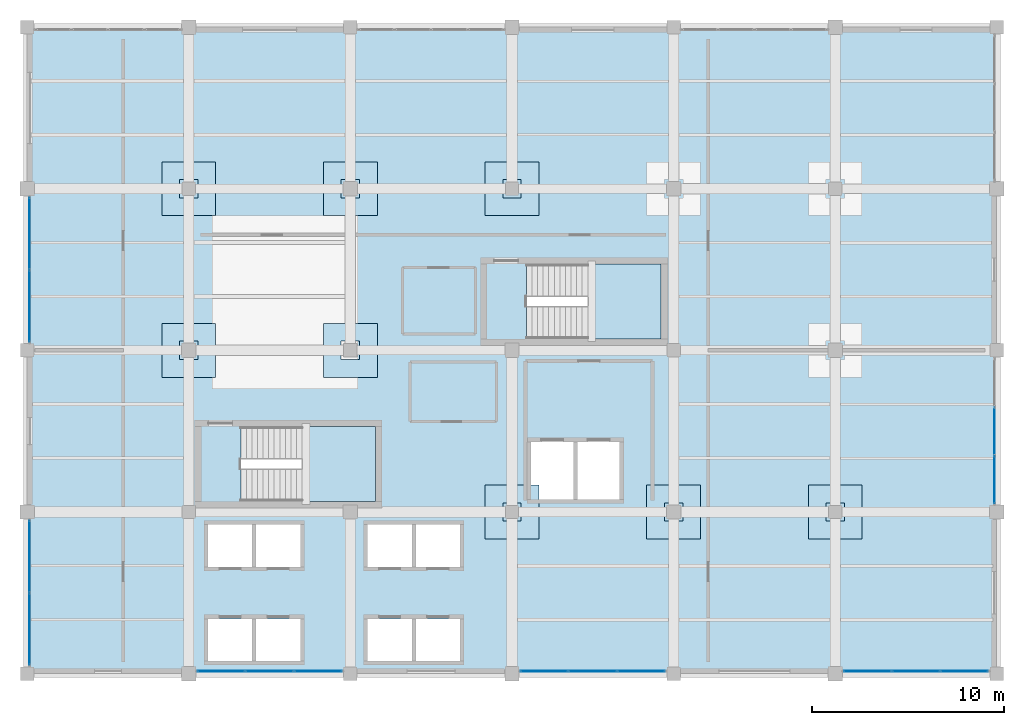
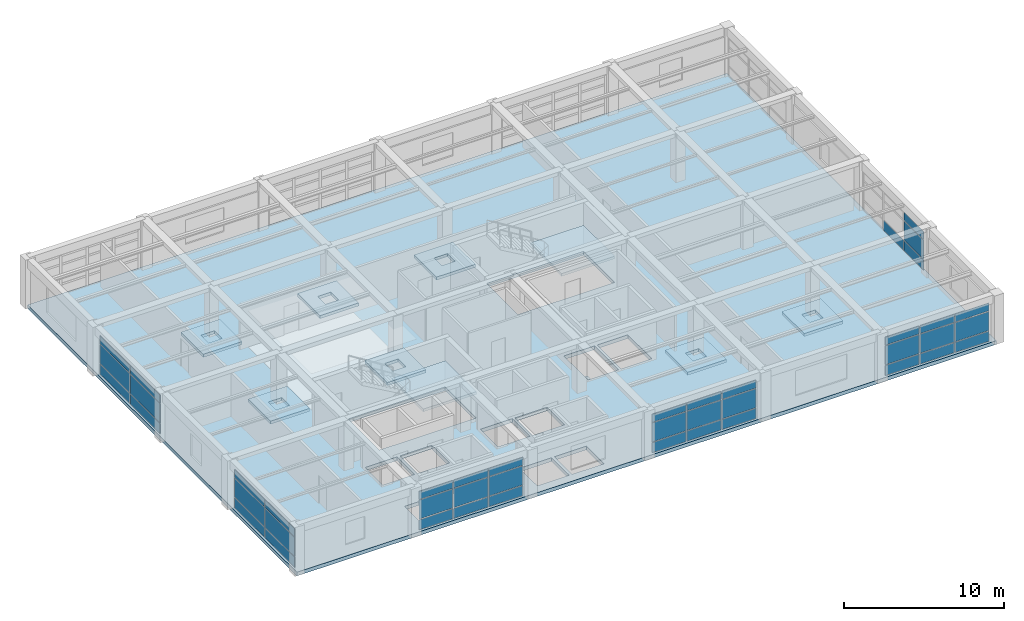
# One storey, part 26 of 31: 43 plates, 11 slabs, 8 elements without a shape of their own.
"""IFC4 building model written with IfcOpenShell, lengths in metres."""

from ifc_helpers import new_model, si_unit, direction, frame, origin, origin_2d, place, context, subcontext, project, spatial, polyline, rectangle, outline, extrude, material, layer, layer_set, type_object, element, aggregate, save


model = new_model("IFC4")

# Units and contexts
model_context = context("Model", 3, precision=1e-05, world=origin(), true_north=direction((0.0, 1.0)))
body_context = subcontext(model_context, "Body", "Model", "MODEL_VIEW")
ifc_project = project(units=[si_unit("LENGTHUNIT", "METRE"), si_unit("AREAUNIT", "SQUARE_METRE"), si_unit("VOLUMEUNIT", "CUBIC_METRE"), si_unit("PLANEANGLEUNIT", "RADIAN"), si_unit("MASSUNIT", "GRAM", prefix="KILO")], contexts=[model_context])

# Site, building, storey
site_placement = place(None, origin())
site = spatial("IfcSite", under=ifc_project, at=site_placement, CompositionType="ELEMENT")
building_placement = place(site_placement, origin())
building = spatial("IfcBuilding", under=site, at=building_placement, Name="Almacenes y Pasaje Nevantli", CompositionType="ELEMENT")
storey_placement = place(building_placement, frame((0.0, 0.0, 34.699951171875)))
storey = spatial("IfcBuildingStorey", under=building, at=storey_placement, Name="L08", CompositionType="ELEMENT", Elevation=34.699951171875)

# Curtain wall, plates
ifc_material_1 = material(Name="Thermally Broken Aluminium and Low-E Glass", Category="aluminium")
curtain_wall_type = type_object("IfcCurtainWallType", Name="CW-UNIT-TOWER", PredefinedType="USERDEFINED", material=ifc_material_1)
curtain_wall_1_placement = place(storey_placement, origin())
curtain_wall_1 = element("IfcCurtainWall", 1, at=curtain_wall_1_placement, inside=storey, type_object=curtain_wall_type, Name="L08 Tower South Unitized Curtain Wall Bay 15", ObjectType="UNITIZED CURTAIN WALL", PredefinedType="USERDEFINED")
ifc_material_2 = material(Name="Low-E Double Glazed Insulated Unit", Category="glass")
ifc_layer_1 = layer(ifc_material_2, 0.031982421875)
ifc_layer_set_1 = layer_set([ifc_layer_1], Name="Low-E Double Glazed Insulated Unit")
plate_type_1 = type_object("IfcPlateType", Name="PL-IGU-32", PredefinedType="CURTAIN_PANEL", material=ifc_layer_set_1)
plate_1_placement = place(storey_placement, frame((119.28173828125, 67.320068359375, 0.06005859375), z_axis=(0.0, 0.0, 1.0), x_axis=(1.0, 0.0, 0.0)))
plate_1 = element("IfcPlate", 2, at=plate_1_placement, type_object=plate_type_1, Name="CW-L08-122 panel 1.1", PredefinedType="CURTAIN_PANEL", context=body_context, shape_type="SweptSolid", body=[
    extrude(rectangle(XDim=2.443359375, YDim=0.031982421875, at=origin_2d()), origin(), (0.0, 0.0, 1.0), 0.760009765625),
])
plate_2_placement = place(storey_placement, frame((119.28173828125, 67.320068359375, 0.880126953125), z_axis=(0.0, 0.0, 1.0), x_axis=(1.0, 0.0, 0.0)))
plate_2 = element("IfcPlate", 3, at=plate_2_placement, type_object=plate_type_1, Name="CW-L08-122 panel 1.2", PredefinedType="CURTAIN_PANEL", context=body_context, shape_type="SweptSolid", body=[
    extrude(rectangle(XDim=2.443359375, YDim=0.031982421875, at=origin_2d()), origin(), (0.0, 0.0, 1.0), 1.43994140625),
])
plate_3_placement = place(storey_placement, frame((119.28173828125, 67.320068359375, 2.3798828125), z_axis=(0.0, 0.0, 1.0), x_axis=(1.0, 0.0, 0.0)))
plate_3 = element("IfcPlate", 4, at=plate_3_placement, type_object=plate_type_1, Name="CW-L08-122 panel 1.3", PredefinedType="CURTAIN_PANEL", context=body_context, shape_type="SweptSolid", body=[
    extrude(rectangle(XDim=2.443359375, YDim=0.031982421875, at=origin_2d()), origin(), (0.0, 0.0, 1.0), 0.60009765625),
])
plate_4_placement = place(storey_placement, frame((121.800048828125, 67.320068359375, 0.06005859375), z_axis=(0.0, 0.0, 1.0), x_axis=(1.0, 0.0, 0.0)))
plate_4 = element("IfcPlate", 5, at=plate_4_placement, type_object=plate_type_1, Name="CW-L08-122 panel 2.1", PredefinedType="CURTAIN_PANEL", context=body_context, shape_type="SweptSolid", body=[
    extrude(rectangle(XDim=2.473388671875, YDim=0.031982421875, at=origin_2d()), origin(), (0.0, 0.0, 1.0), 0.760009765625),
])
plate_5_placement = place(storey_placement, frame((121.800048828125, 67.320068359375, 0.880126953125), z_axis=(0.0, 0.0, 1.0), x_axis=(1.0, 0.0, 0.0)))
plate_5 = element("IfcPlate", 6, at=plate_5_placement, type_object=plate_type_1, Name="CW-L08-122 panel 2.2", PredefinedType="CURTAIN_PANEL", context=body_context, shape_type="SweptSolid", body=[
    extrude(rectangle(XDim=2.473388671875, YDim=0.031982421875, at=origin_2d()), origin(), (0.0, 0.0, 1.0), 1.43994140625),
])
plate_6_placement = place(storey_placement, frame((121.800048828125, 67.320068359375, 2.3798828125), z_axis=(0.0, 0.0, 1.0), x_axis=(1.0, 0.0, 0.0)))
plate_6 = element("IfcPlate", 7, at=plate_6_placement, type_object=plate_type_1, Name="CW-L08-122 panel 2.3", PredefinedType="CURTAIN_PANEL", context=body_context, shape_type="SweptSolid", body=[
    extrude(rectangle(XDim=2.473388671875, YDim=0.031982421875, at=origin_2d()), origin(), (0.0, 0.0, 1.0), 0.60009765625),
])
plate_7_placement = place(storey_placement, frame((124.318359375, 67.320068359375, 0.06005859375), z_axis=(0.0, 0.0, 1.0), x_axis=(1.0, 0.0, 0.0)))
plate_7 = element("IfcPlate", 8, at=plate_7_placement, type_object=plate_type_1, Name="CW-L08-122 panel 3.1", PredefinedType="CURTAIN_PANEL", context=body_context, shape_type="SweptSolid", body=[
    extrude(rectangle(XDim=2.443359375, YDim=0.031982421875, at=origin_2d()), origin(), (0.0, 0.0, 1.0), 0.760009765625),
])
plate_8_placement = place(storey_placement, frame((124.318359375, 67.320068359375, 0.880126953125), z_axis=(0.0, 0.0, 1.0), x_axis=(1.0, 0.0, 0.0)))
plate_8 = element("IfcPlate", 9, at=plate_8_placement, type_object=plate_type_1, Name="CW-L08-122 panel 3.2", PredefinedType="CURTAIN_PANEL", context=body_context, shape_type="SweptSolid", body=[
    extrude(rectangle(XDim=2.443359375, YDim=0.031982421875, at=origin_2d()), origin(), (0.0, 0.0, 1.0), 1.43994140625),
])
plate_9_placement = place(storey_placement, frame((124.318359375, 67.320068359375, 2.3798828125), z_axis=(0.0, 0.0, 1.0), x_axis=(1.0, 0.0, 0.0)))
plate_9 = element("IfcPlate", 10, at=plate_9_placement, type_object=plate_type_1, Name="CW-L08-122 panel 3.3", PredefinedType="CURTAIN_PANEL", context=body_context, shape_type="SweptSolid", body=[
    extrude(rectangle(XDim=2.443359375, YDim=0.031982421875, at=origin_2d()), origin(), (0.0, 0.0, 1.0), 0.60009765625),
])
aggregate(curtain_wall_1, [plate_1, plate_2, plate_3, plate_4, plate_5, plate_6, plate_7, plate_8, plate_9])

curtain_wall_2_placement = place(storey_placement, origin())
curtain_wall_2 = element("IfcCurtainWall", 11, at=curtain_wall_2_placement, inside=storey, type_object=curtain_wall_type, Name="L08 Tower South Unitized Curtain Wall Bay 17", ObjectType="UNITIZED CURTAIN WALL", PredefinedType="USERDEFINED")
plate_10_placement = place(storey_placement, frame((136.081787109375, 67.320068359375, 0.06005859375), z_axis=(0.0, 0.0, 1.0), x_axis=(1.0, 0.0, 0.0)))
plate_10 = element("IfcPlate", 12, at=plate_10_placement, type_object=plate_type_1, Name="CW-L08-124 panel 1.1", PredefinedType="CURTAIN_PANEL", context=body_context, shape_type="SweptSolid", body=[
    extrude(rectangle(XDim=2.443359375, YDim=0.031982421875, at=origin_2d()), origin(), (0.0, 0.0, 1.0), 0.760009765625),
])
plate_11_placement = place(storey_placement, frame((136.081787109375, 67.320068359375, 0.880126953125), z_axis=(0.0, 0.0, 1.0), x_axis=(1.0, 0.0, 0.0)))
plate_11 = element("IfcPlate", 13, at=plate_11_placement, type_object=plate_type_1, Name="CW-L08-124 panel 1.2", PredefinedType="CURTAIN_PANEL", context=body_context, shape_type="SweptSolid", body=[
    extrude(rectangle(XDim=2.443359375, YDim=0.031982421875, at=origin_2d()), origin(), (0.0, 0.0, 1.0), 1.43994140625),
])
plate_12_placement = place(storey_placement, frame((136.081787109375, 67.320068359375, 2.3798828125), z_axis=(0.0, 0.0, 1.0), x_axis=(1.0, 0.0, 0.0)))
plate_12 = element("IfcPlate", 14, at=plate_12_placement, type_object=plate_type_1, Name="CW-L08-124 panel 1.3", PredefinedType="CURTAIN_PANEL", context=body_context, shape_type="SweptSolid", body=[
    extrude(rectangle(XDim=2.443359375, YDim=0.031982421875, at=origin_2d()), origin(), (0.0, 0.0, 1.0), 0.60009765625),
])
plate_13_placement = place(storey_placement, frame((138.60009765625, 67.320068359375, 0.06005859375), z_axis=(0.0, 0.0, 1.0), x_axis=(1.0, 0.0, 0.0)))
plate_13 = element("IfcPlate", 15, at=plate_13_placement, type_object=plate_type_1, Name="CW-L08-124 panel 2.1", PredefinedType="CURTAIN_PANEL", context=body_context, shape_type="SweptSolid", body=[
    extrude(rectangle(XDim=2.473388671875, YDim=0.031982421875, at=origin_2d()), origin(), (0.0, 0.0, 1.0), 0.760009765625),
])
plate_14_placement = place(storey_placement, frame((138.60009765625, 67.320068359375, 0.880126953125), z_axis=(0.0, 0.0, 1.0), x_axis=(1.0, 0.0, 0.0)))
plate_14 = element("IfcPlate", 16, at=plate_14_placement, type_object=plate_type_1, Name="CW-L08-124 panel 2.2", PredefinedType="CURTAIN_PANEL", context=body_context, shape_type="SweptSolid", body=[
    extrude(rectangle(XDim=2.473388671875, YDim=0.031982421875, at=origin_2d()), origin(), (0.0, 0.0, 1.0), 1.43994140625),
])
plate_15_placement = place(storey_placement, frame((138.60009765625, 67.320068359375, 2.3798828125), z_axis=(0.0, 0.0, 1.0), x_axis=(1.0, 0.0, 0.0)))
plate_15 = element("IfcPlate", 17, at=plate_15_placement, type_object=plate_type_1, Name="CW-L08-124 panel 2.3", PredefinedType="CURTAIN_PANEL", context=body_context, shape_type="SweptSolid", body=[
    extrude(rectangle(XDim=2.473388671875, YDim=0.031982421875, at=origin_2d()), origin(), (0.0, 0.0, 1.0), 0.60009765625),
])
plate_16_placement = place(storey_placement, frame((141.118408203125, 67.320068359375, 0.06005859375), z_axis=(0.0, 0.0, 1.0), x_axis=(1.0, 0.0, 0.0)))
plate_16 = element("IfcPlate", 18, at=plate_16_placement, type_object=plate_type_1, Name="CW-L08-124 panel 3.1", PredefinedType="CURTAIN_PANEL", context=body_context, shape_type="SweptSolid", body=[
    extrude(rectangle(XDim=2.443359375, YDim=0.031982421875, at=origin_2d()), origin(), (0.0, 0.0, 1.0), 0.760009765625),
])
plate_17_placement = place(storey_placement, frame((141.118408203125, 67.320068359375, 0.880126953125), z_axis=(0.0, 0.0, 1.0), x_axis=(1.0, 0.0, 0.0)))
plate_17 = element("IfcPlate", 19, at=plate_17_placement, type_object=plate_type_1, Name="CW-L08-124 panel 3.2", PredefinedType="CURTAIN_PANEL", context=body_context, shape_type="SweptSolid", body=[
    extrude(rectangle(XDim=2.443359375, YDim=0.031982421875, at=origin_2d()), origin(), (0.0, 0.0, 1.0), 1.43994140625),
])
plate_18_placement = place(storey_placement, frame((141.118408203125, 67.320068359375, 2.3798828125), z_axis=(0.0, 0.0, 1.0), x_axis=(1.0, 0.0, 0.0)))
plate_18 = element("IfcPlate", 20, at=plate_18_placement, type_object=plate_type_1, Name="CW-L08-124 panel 3.3", PredefinedType="CURTAIN_PANEL", context=body_context, shape_type="SweptSolid", body=[
    extrude(rectangle(XDim=2.443359375, YDim=0.031982421875, at=origin_2d()), origin(), (0.0, 0.0, 1.0), 0.60009765625),
])
aggregate(curtain_wall_2, [plate_10, plate_11, plate_12, plate_13, plate_14, plate_15, plate_16, plate_17, plate_18])

curtain_wall_3_placement = place(storey_placement, origin())
curtain_wall_3 = element("IfcCurtainWall", 21, at=curtain_wall_3_placement, inside=storey, type_object=curtain_wall_type, Name="L08 Tower South Unitized Curtain Wall Bay 19", ObjectType="UNITIZED CURTAIN WALL", PredefinedType="USERDEFINED")
plate_19_placement = place(storey_placement, frame((152.881591796875, 67.320068359375, 0.06005859375), z_axis=(0.0, 0.0, 1.0), x_axis=(1.0, 0.0, 0.0)))
plate_19 = element("IfcPlate", 22, at=plate_19_placement, type_object=plate_type_1, Name="CW-L08-126 panel 1.1", PredefinedType="CURTAIN_PANEL", context=body_context, shape_type="SweptSolid", body=[
    extrude(rectangle(XDim=2.443359375, YDim=0.031982421875, at=origin_2d()), origin(), (0.0, 0.0, 1.0), 0.760009765625),
])
plate_20_placement = place(storey_placement, frame((152.881591796875, 67.320068359375, 0.880126953125), z_axis=(0.0, 0.0, 1.0), x_axis=(1.0, 0.0, 0.0)))
plate_20 = element("IfcPlate", 23, at=plate_20_placement, type_object=plate_type_1, Name="CW-L08-126 panel 1.2", PredefinedType="CURTAIN_PANEL", context=body_context, shape_type="SweptSolid", body=[
    extrude(rectangle(XDim=2.443359375, YDim=0.031982421875, at=origin_2d()), origin(), (0.0, 0.0, 1.0), 1.43994140625),
])
plate_21_placement = place(storey_placement, frame((152.881591796875, 67.320068359375, 2.3798828125), z_axis=(0.0, 0.0, 1.0), x_axis=(1.0, 0.0, 0.0)))
plate_21 = element("IfcPlate", 24, at=plate_21_placement, type_object=plate_type_1, Name="CW-L08-126 panel 1.3", PredefinedType="CURTAIN_PANEL", context=body_context, shape_type="SweptSolid", body=[
    extrude(rectangle(XDim=2.443359375, YDim=0.031982421875, at=origin_2d()), origin(), (0.0, 0.0, 1.0), 0.60009765625),
])
plate_22_placement = place(storey_placement, frame((155.39990234375, 67.320068359375, 0.06005859375), z_axis=(0.0, 0.0, 1.0), x_axis=(1.0, 0.0, 0.0)))
plate_22 = element("IfcPlate", 25, at=plate_22_placement, type_object=plate_type_1, Name="CW-L08-126 panel 2.1", PredefinedType="CURTAIN_PANEL", context=body_context, shape_type="SweptSolid", body=[
    extrude(rectangle(XDim=2.473388671875, YDim=0.031982421875, at=origin_2d()), origin(), (0.0, 0.0, 1.0), 0.760009765625),
])
plate_23_placement = place(storey_placement, frame((155.39990234375, 67.320068359375, 0.880126953125), z_axis=(0.0, 0.0, 1.0), x_axis=(1.0, 0.0, 0.0)))
plate_23 = element("IfcPlate", 26, at=plate_23_placement, type_object=plate_type_1, Name="CW-L08-126 panel 2.2", PredefinedType="CURTAIN_PANEL", context=body_context, shape_type="SweptSolid", body=[
    extrude(rectangle(XDim=2.473388671875, YDim=0.031982421875, at=origin_2d()), origin(), (0.0, 0.0, 1.0), 1.43994140625),
])
plate_24_placement = place(storey_placement, frame((155.39990234375, 67.320068359375, 2.3798828125), z_axis=(0.0, 0.0, 1.0), x_axis=(1.0, 0.0, 0.0)))
plate_24 = element("IfcPlate", 27, at=plate_24_placement, type_object=plate_type_1, Name="CW-L08-126 panel 2.3", PredefinedType="CURTAIN_PANEL", context=body_context, shape_type="SweptSolid", body=[
    extrude(rectangle(XDim=2.473388671875, YDim=0.031982421875, at=origin_2d()), origin(), (0.0, 0.0, 1.0), 0.60009765625),
])
plate_25_placement = place(storey_placement, frame((157.918212890625, 67.320068359375, 0.06005859375), z_axis=(0.0, 0.0, 1.0), x_axis=(1.0, 0.0, 0.0)))
plate_25 = element("IfcPlate", 28, at=plate_25_placement, type_object=plate_type_1, Name="CW-L08-126 panel 3.1", PredefinedType="CURTAIN_PANEL", context=body_context, shape_type="SweptSolid", body=[
    extrude(rectangle(XDim=2.443359375, YDim=0.031982421875, at=origin_2d()), origin(), (0.0, 0.0, 1.0), 0.760009765625),
])
plate_26_placement = place(storey_placement, frame((157.918212890625, 67.320068359375, 0.880126953125), z_axis=(0.0, 0.0, 1.0), x_axis=(1.0, 0.0, 0.0)))
plate_26 = element("IfcPlate", 29, at=plate_26_placement, type_object=plate_type_1, Name="CW-L08-126 panel 3.2", PredefinedType="CURTAIN_PANEL", context=body_context, shape_type="SweptSolid", body=[
    extrude(rectangle(XDim=2.443359375, YDim=0.031982421875, at=origin_2d()), origin(), (0.0, 0.0, 1.0), 1.43994140625),
])
plate_27_placement = place(storey_placement, frame((157.918212890625, 67.320068359375, 2.3798828125), z_axis=(0.0, 0.0, 1.0), x_axis=(1.0, 0.0, 0.0)))
plate_27 = element("IfcPlate", 30, at=plate_27_placement, type_object=plate_type_1, Name="CW-L08-126 panel 3.3", PredefinedType="CURTAIN_PANEL", context=body_context, shape_type="SweptSolid", body=[
    extrude(rectangle(XDim=2.443359375, YDim=0.031982421875, at=origin_2d()), origin(), (0.0, 0.0, 1.0), 0.60009765625),
])
aggregate(curtain_wall_3, [plate_19, plate_20, plate_21, plate_22, plate_23, plate_24, plate_25, plate_26, plate_27])

curtain_wall_4_placement = place(storey_placement, origin())
curtain_wall_4 = element("IfcCurtainWall", 31, at=curtain_wall_4_placement, inside=storey, type_object=curtain_wall_type, Name="L08 Tower West Curtain Wall Bay 9", ObjectType="UNITIZED CURTAIN WALL", PredefinedType="USERDEFINED")
plate_28_placement = place(storey_placement, frame((109.320068359375, 69.514892578125, 0.06005859375), z_axis=(0.0, 0.0, 1.0), x_axis=(0.0, 1.0, 0.0)))
plate_28 = element("IfcPlate", 32, at=plate_28_placement, type_object=plate_type_1, Name="CW-L08-127 panel 1.1", PredefinedType="CURTAIN_PANEL", context=body_context, shape_type="SweptSolid", body=[
    extrude(rectangle(XDim=3.7099609375, YDim=0.031982421875, at=origin_2d()), origin(), (0.0, 0.0, 1.0), 0.760009765625),
])
plate_29_placement = place(storey_placement, frame((109.320068359375, 69.514892578125, 0.880126953125), z_axis=(0.0, 0.0, 1.0), x_axis=(0.0, 1.0, 0.0)))
plate_29 = element("IfcPlate", 33, at=plate_29_placement, type_object=plate_type_1, Name="CW-L08-127 panel 1.2", PredefinedType="CURTAIN_PANEL", context=body_context, shape_type="SweptSolid", body=[
    extrude(rectangle(XDim=3.7099609375, YDim=0.031982421875, at=origin_2d()), origin(), (0.0, 0.0, 1.0), 1.43994140625),
])
plate_30_placement = place(storey_placement, frame((109.320068359375, 69.514892578125, 2.3798828125), z_axis=(0.0, 0.0, 1.0), x_axis=(0.0, 1.0, 0.0)))
plate_30 = element("IfcPlate", 34, at=plate_30_placement, type_object=plate_type_1, Name="CW-L08-127 panel 1.3", PredefinedType="CURTAIN_PANEL", context=body_context, shape_type="SweptSolid", body=[
    extrude(rectangle(XDim=3.7099609375, YDim=0.031982421875, at=origin_2d()), origin(), (0.0, 0.0, 1.0), 0.60009765625),
])
plate_31_placement = place(storey_placement, frame((109.320068359375, 73.284912109375, 0.06005859375), z_axis=(0.0, 0.0, 1.0), x_axis=(0.0, 1.0, 0.0)))
plate_31 = element("IfcPlate", 35, at=plate_31_placement, type_object=plate_type_1, Name="CW-L08-127 panel 2.1", PredefinedType="CURTAIN_PANEL", context=body_context, shape_type="SweptSolid", body=[
    extrude(rectangle(XDim=3.7099609375, YDim=0.031982421875, at=origin_2d()), origin(), (0.0, 0.0, 1.0), 0.760009765625),
])
plate_32_placement = place(storey_placement, frame((109.320068359375, 73.284912109375, 0.880126953125), z_axis=(0.0, 0.0, 1.0), x_axis=(0.0, 1.0, 0.0)))
plate_32 = element("IfcPlate", 36, at=plate_32_placement, type_object=plate_type_1, Name="CW-L08-127 panel 2.2", PredefinedType="CURTAIN_PANEL", context=body_context, shape_type="SweptSolid", body=[
    extrude(rectangle(XDim=3.7099609375, YDim=0.031982421875, at=origin_2d()), origin(), (0.0, 0.0, 1.0), 1.43994140625),
])
plate_33_placement = place(storey_placement, frame((109.320068359375, 73.284912109375, 2.3798828125), z_axis=(0.0, 0.0, 1.0), x_axis=(0.0, 1.0, 0.0)))
plate_33 = element("IfcPlate", 37, at=plate_33_placement, type_object=plate_type_1, Name="CW-L08-127 panel 2.3", PredefinedType="CURTAIN_PANEL", context=body_context, shape_type="SweptSolid", body=[
    extrude(rectangle(XDim=3.7099609375, YDim=0.031982421875, at=origin_2d()), origin(), (0.0, 0.0, 1.0), 0.60009765625),
])
aggregate(curtain_wall_4, [plate_28, plate_29, plate_30, plate_31, plate_32, plate_33])

curtain_wall_5_placement = place(storey_placement, origin())
curtain_wall_5 = element("IfcCurtainWall", 38, at=curtain_wall_5_placement, inside=storey, type_object=curtain_wall_type, Name="L08 Tower West Curtain Wall Bay 11", ObjectType="UNITIZED CURTAIN WALL", PredefinedType="USERDEFINED")
plate_34_placement = place(storey_placement, frame((109.320068359375, 86.31494140625, 0.06005859375), z_axis=(0.0, 0.0, 1.0), x_axis=(0.0, 1.0, 0.0)))
plate_34 = element("IfcPlate", 39, at=plate_34_placement, type_object=plate_type_1, Name="CW-L08-129 panel 1.1", PredefinedType="CURTAIN_PANEL", context=body_context, shape_type="SweptSolid", body=[
    extrude(rectangle(XDim=3.7099609375, YDim=0.031982421875, at=origin_2d()), origin(), (0.0, 0.0, 1.0), 0.760009765625),
])
plate_35_placement = place(storey_placement, frame((109.320068359375, 86.31494140625, 0.880126953125), z_axis=(0.0, 0.0, 1.0), x_axis=(0.0, 1.0, 0.0)))
plate_35 = element("IfcPlate", 40, at=plate_35_placement, type_object=plate_type_1, Name="CW-L08-129 panel 1.2", PredefinedType="CURTAIN_PANEL", context=body_context, shape_type="SweptSolid", body=[
    extrude(rectangle(XDim=3.7099609375, YDim=0.031982421875, at=origin_2d()), origin(), (0.0, 0.0, 1.0), 1.43994140625),
])
plate_36_placement = place(storey_placement, frame((109.320068359375, 86.31494140625, 2.3798828125), z_axis=(0.0, 0.0, 1.0), x_axis=(0.0, 1.0, 0.0)))
plate_36 = element("IfcPlate", 41, at=plate_36_placement, type_object=plate_type_1, Name="CW-L08-129 panel 1.3", PredefinedType="CURTAIN_PANEL", context=body_context, shape_type="SweptSolid", body=[
    extrude(rectangle(XDim=3.7099609375, YDim=0.031982421875, at=origin_2d()), origin(), (0.0, 0.0, 1.0), 0.60009765625),
])
plate_37_placement = place(storey_placement, frame((109.320068359375, 90.0849609375, 0.06005859375), z_axis=(0.0, 0.0, 1.0), x_axis=(0.0, 1.0, 0.0)))
plate_37 = element("IfcPlate", 42, at=plate_37_placement, type_object=plate_type_1, Name="CW-L08-129 panel 2.1", PredefinedType="CURTAIN_PANEL", context=body_context, shape_type="SweptSolid", body=[
    extrude(rectangle(XDim=3.7099609375, YDim=0.031982421875, at=origin_2d()), origin(), (0.0, 0.0, 1.0), 0.760009765625),
])
plate_38_placement = place(storey_placement, frame((109.320068359375, 90.0849609375, 0.880126953125), z_axis=(0.0, 0.0, 1.0), x_axis=(0.0, 1.0, 0.0)))
plate_38 = element("IfcPlate", 43, at=plate_38_placement, type_object=plate_type_1, Name="CW-L08-129 panel 2.2", PredefinedType="CURTAIN_PANEL", context=body_context, shape_type="SweptSolid", body=[
    extrude(rectangle(XDim=3.7099609375, YDim=0.031982421875, at=origin_2d()), origin(), (0.0, 0.0, 1.0), 1.43994140625),
])
plate_39_placement = place(storey_placement, frame((109.320068359375, 90.0849609375, 2.3798828125), z_axis=(0.0, 0.0, 1.0), x_axis=(0.0, 1.0, 0.0)))
plate_39 = element("IfcPlate", 44, at=plate_39_placement, type_object=plate_type_1, Name="CW-L08-129 panel 2.3", PredefinedType="CURTAIN_PANEL", context=body_context, shape_type="SweptSolid", body=[
    extrude(rectangle(XDim=3.7099609375, YDim=0.031982421875, at=origin_2d()), origin(), (0.0, 0.0, 1.0), 0.60009765625),
])
aggregate(curtain_wall_5, [plate_34, plate_35, plate_36, plate_37, plate_38, plate_39])

curtain_wall_6_placement = place(storey_placement, origin())
curtain_wall_6 = element("IfcCurtainWall", 45, at=curtain_wall_6_placement, inside=storey, type_object=curtain_wall_type, Name="L08 Tower East Curtain Wall Bay 10", ObjectType="UNITIZED CURTAIN WALL", PredefinedType="USERDEFINED")
ifc_material_3 = material(Name="Acoustic Tempered Low-E Triple Glazed Unit", Category="glass")
ifc_layer_2 = layer(ifc_material_3, 0.0419921875)
ifc_layer_set_2 = layer_set([ifc_layer_2], Name="Acoustic Tempered Low-E Triple Glazed Unit")
plate_type_2 = type_object("IfcPlateType", Name="PL-IGU-42", PredefinedType="CURTAIN_PANEL", material=ifc_layer_set_2)
plate_40_placement = place(storey_placement, frame((159.47998046875, 77.28173828125, 0.06005859375), z_axis=(0.0, 0.0, 1.0), x_axis=(0.0, 1.0, 0.0)))
plate_40 = element("IfcPlate", 46, at=plate_40_placement, type_object=plate_type_2, Name="CW-L08-128 panel 1.1", PredefinedType="CURTAIN_PANEL", context=body_context, shape_type="SweptSolid", body=[
    extrude(rectangle(XDim=2.443359375, YDim=0.0419921875, at=origin_2d()), origin(), (0.0, 0.0, 1.0), 0.760009765625),
])
plate_41_placement = place(storey_placement, frame((159.47998046875, 77.28173828125, 0.880126953125), z_axis=(0.0, 0.0, 1.0), x_axis=(0.0, 1.0, 0.0)))
plate_41 = element("IfcPlate", 47, at=plate_41_placement, type_object=plate_type_2, Name="CW-L08-128 panel 1.2", PredefinedType="CURTAIN_PANEL", context=body_context, shape_type="SweptSolid", body=[
    extrude(rectangle(XDim=2.443359375, YDim=0.0419921875, at=origin_2d()), origin(), (0.0, 0.0, 1.0), 1.43994140625),
])
plate_42_placement = place(storey_placement, frame((159.47998046875, 77.28173828125, 2.3798828125), z_axis=(0.0, 0.0, 1.0), x_axis=(0.0, 1.0, 0.0)))
plate_42 = element("IfcPlate", 48, at=plate_42_placement, type_object=plate_type_2, Name="CW-L08-128 panel 1.3", PredefinedType="CURTAIN_PANEL", context=body_context, shape_type="SweptSolid", body=[
    extrude(rectangle(XDim=2.443359375, YDim=0.0419921875, at=origin_2d()), origin(), (0.0, 0.0, 1.0), 0.60009765625),
])
plate_43_placement = place(storey_placement, frame((159.47998046875, 79.800048828125, 0.06005859375), z_axis=(0.0, 0.0, 1.0), x_axis=(0.0, 1.0, 0.0)))
plate_43 = element("IfcPlate", 49, at=plate_43_placement, type_object=plate_type_2, Name="CW-L08-128 panel 2.1", PredefinedType="CURTAIN_PANEL", context=body_context, shape_type="SweptSolid", body=[
    extrude(rectangle(XDim=2.473388671875, YDim=0.0419921875, at=origin_2d()), origin(), (0.0, 0.0, 1.0), 0.760009765625),
])
aggregate(curtain_wall_6, [plate_40, plate_41, plate_42, plate_43])

# Slabs
ifc_material_4 = material(Name="Concrete C35/45", Category="concrete")
ifc_layer_3 = layer(ifc_material_4, 0.22998046875)
ifc_layer_set_3 = layer_set([ifc_layer_3], Name="Concrete C35/45")
slab_type_1 = type_object("IfcSlabType", Name="SLB-DP-230", PredefinedType="USERDEFINED", material=ifc_layer_set_3)
slab_1_placement = place(storey_placement, frame((0.0, 0.0, -0.510009765625)))
element("IfcSlab", 50, at=slab_1_placement, inside=storey, type_object=slab_type_1, Name="L08 Punching-Shear Drop Panel DP-01 #1121", ObjectType="DROP PANEL", PredefinedType="USERDEFINED", context=body_context, shape_type="SweptSolid", body=[
    extrude(outline(polyline([(116.199951171875, 82.60009765625), (119.0, 82.60009765625), (119.0, 85.39990234375), (116.199951171875, 85.39990234375), (116.199951171875, 82.60009765625)]), holes=[polyline([(117.1201171875, 83.52001953125), (118.080078125, 83.52001953125), (118.080078125, 84.47998046875), (117.1201171875, 84.47998046875), (117.1201171875, 83.52001953125)])]), origin(), (0.0, 0.0, 1.0), 0.22998046875),
])
slab_2_placement = place(storey_placement, frame((0.0, 0.0, -0.510009765625)))
element("IfcSlab", 51, at=slab_2_placement, inside=storey, type_object=slab_type_1, Name="L08 Punching-Shear Drop Panel DP-01 #1122", ObjectType="DROP PANEL", PredefinedType="USERDEFINED", context=body_context, shape_type="SweptSolid", body=[
    extrude(outline(polyline([(116.199951171875, 91.0), (119.0, 91.0), (119.0, 93.800048828125), (116.199951171875, 93.800048828125), (116.199951171875, 91.0)]), holes=[polyline([(117.1201171875, 91.919921875), (118.080078125, 91.919921875), (118.080078125, 92.8798828125), (117.1201171875, 92.8798828125), (117.1201171875, 91.919921875)])]), origin(), (0.0, 0.0, 1.0), 0.22998046875),
])
slab_3_placement = place(storey_placement, frame((0.0, 0.0, -0.510009765625)))
element("IfcSlab", 52, at=slab_3_placement, inside=storey, type_object=slab_type_1, Name="L08 Punching-Shear Drop Panel DP-01 #1123", ObjectType="DROP PANEL", PredefinedType="USERDEFINED", context=body_context, shape_type="SweptSolid", body=[
    extrude(outline(polyline([(124.60009765625, 82.60009765625), (127.39990234375, 82.60009765625), (127.39990234375, 85.39990234375), (124.60009765625, 85.39990234375), (124.60009765625, 82.60009765625)]), holes=[polyline([(125.52001953125, 83.52001953125), (126.47998046875, 83.52001953125), (126.47998046875, 84.47998046875), (125.52001953125, 84.47998046875), (125.52001953125, 83.52001953125)])]), origin(), (0.0, 0.0, 1.0), 0.22998046875),
])
slab_4_placement = place(storey_placement, frame((0.0, 0.0, -0.510009765625)))
element("IfcSlab", 53, at=slab_4_placement, inside=storey, type_object=slab_type_1, Name="L08 Punching-Shear Drop Panel DP-01 #1124", ObjectType="DROP PANEL", PredefinedType="USERDEFINED", context=body_context, shape_type="SweptSolid", body=[
    extrude(outline(polyline([(124.60009765625, 91.0), (127.39990234375, 91.0), (127.39990234375, 93.800048828125), (124.60009765625, 93.800048828125), (124.60009765625, 91.0)]), holes=[polyline([(125.52001953125, 91.919921875), (126.47998046875, 91.919921875), (126.47998046875, 92.8798828125), (125.52001953125, 92.8798828125), (125.52001953125, 91.919921875)])]), origin(), (0.0, 0.0, 1.0), 0.22998046875),
])
slab_5_placement = place(storey_placement, frame((0.0, 0.0, -0.510009765625)))
element("IfcSlab", 54, at=slab_5_placement, inside=storey, type_object=slab_type_1, Name="L08 Punching-Shear Drop Panel DP-01 #1125", ObjectType="DROP PANEL", PredefinedType="USERDEFINED", context=body_context, shape_type="SweptSolid", body=[
    extrude(outline(polyline([(133.0, 74.199951171875), (135.800048828125, 74.199951171875), (135.800048828125, 77.0), (133.0, 77.0), (133.0, 74.199951171875)]), holes=[polyline([(133.919921875, 75.1201171875), (134.8798828125, 75.1201171875), (134.8798828125, 76.080078125), (133.919921875, 76.080078125), (133.919921875, 75.1201171875)])]), origin(), (0.0, 0.0, 1.0), 0.22998046875),
])
slab_6_placement = place(storey_placement, frame((0.0, 0.0, -0.510009765625)))
element("IfcSlab", 55, at=slab_6_placement, inside=storey, type_object=slab_type_1, Name="L08 Punching-Shear Drop Panel DP-01 #1126", ObjectType="DROP PANEL", PredefinedType="USERDEFINED", context=body_context, shape_type="SweptSolid", body=[
    extrude(outline(polyline([(133.0, 91.0), (135.800048828125, 91.0), (135.800048828125, 93.800048828125), (133.0, 93.800048828125), (133.0, 91.0)]), holes=[polyline([(133.919921875, 91.919921875), (134.8798828125, 91.919921875), (134.8798828125, 92.8798828125), (133.919921875, 92.8798828125), (133.919921875, 91.919921875)])]), origin(), (0.0, 0.0, 1.0), 0.22998046875),
])
slab_7_placement = place(storey_placement, frame((0.0, 0.0, -0.510009765625)))
element("IfcSlab", 56, at=slab_7_placement, inside=storey, type_object=slab_type_1, Name="L08 Punching-Shear Drop Panel DP-01 #1127", ObjectType="DROP PANEL", PredefinedType="USERDEFINED", context=body_context, shape_type="SweptSolid", body=[
    extrude(outline(polyline([(141.39990234375, 74.199951171875), (144.199951171875, 74.199951171875), (144.199951171875, 77.0), (141.39990234375, 77.0), (141.39990234375, 74.199951171875)]), holes=[polyline([(142.320068359375, 75.1201171875), (143.280029296875, 75.1201171875), (143.280029296875, 76.080078125), (142.320068359375, 76.080078125), (142.320068359375, 75.1201171875)])]), origin(), (0.0, 0.0, 1.0), 0.22998046875),
])
slab_8_placement = place(storey_placement, frame((0.0, 0.0, -0.510009765625)))
element("IfcSlab", 57, at=slab_8_placement, inside=storey, type_object=slab_type_1, Name="L08 Punching-Shear Drop Panel DP-01 #1129", ObjectType="DROP PANEL", PredefinedType="USERDEFINED", context=body_context, shape_type="SweptSolid", body=[
    extrude(outline(polyline([(149.800048828125, 74.199951171875), (152.60009765625, 74.199951171875), (152.60009765625, 77.0), (149.800048828125, 77.0), (149.800048828125, 74.199951171875)]), holes=[polyline([(150.719970703125, 75.1201171875), (151.679931640625, 75.1201171875), (151.679931640625, 76.080078125), (150.719970703125, 76.080078125), (150.719970703125, 75.1201171875)])]), origin(), (0.0, 0.0, 1.0), 0.22998046875),
])
ifc_material_5 = material(Name="Concrete C35/45", Category="concrete")
ifc_layer_4 = layer(ifc_material_5, 0.280029296875)
ifc_layer_set_4 = layer_set([ifc_layer_4], Name="Concrete C35/45")
slab_type_2 = type_object("IfcSlabType", Name="SLB-FLR-280", PredefinedType="FLOOR", material=ifc_layer_set_4)
slab_9_placement = place(storey_placement, frame((0.0, 0.0, -0.280029296875)))
element("IfcSlab", 58, at=slab_9_placement, inside=storey, type_object=slab_type_2, Name="L08 Corporate Office Tower Floor Slab", PredefinedType="FLOOR", context=body_context, shape_type="SweptSolid", body=[
    extrude(outline(polyline([(109.199951171875, 67.199951171875), (159.60009765625, 67.199951171875), (159.60009765625, 100.800048828125), (109.199951171875, 100.800048828125), (109.199951171875, 67.199951171875)]), holes=[polyline([(120.31494140625, 76.14990234375), (127.300048828125, 76.14990234375), (127.300048828125, 80.0400390625), (120.31494140625, 80.0400390625), (120.31494140625, 76.14990234375)]), polyline([(135.1650390625, 84.60009765625), (142.14990234375, 84.60009765625), (142.14990234375, 88.489990234375), (135.1650390625, 88.489990234375), (135.1650390625, 84.60009765625)]), polyline([(126.89990234375, 67.85009765625), (129.199951171875, 67.85009765625), (129.199951171875, 70.050048828125), (126.89990234375, 70.050048828125), (126.89990234375, 67.85009765625)]), polyline([(129.39990234375, 67.85009765625), (131.699951171875, 67.85009765625), (131.699951171875, 70.050048828125), (129.39990234375, 70.050048828125), (129.39990234375, 67.85009765625)]), polyline([(126.89990234375, 72.75), (129.199951171875, 72.75), (129.199951171875, 74.949951171875), (126.89990234375, 74.949951171875), (126.89990234375, 72.75)]), polyline([(129.39990234375, 72.75), (131.699951171875, 72.75), (131.699951171875, 74.949951171875), (129.39990234375, 74.949951171875), (129.39990234375, 72.75)]), polyline([(118.60009765625, 67.85009765625), (120.89990234375, 67.85009765625), (120.89990234375, 70.050048828125), (118.60009765625, 70.050048828125), (118.60009765625, 67.85009765625)]), polyline([(121.10009765625, 67.85009765625), (123.39990234375, 67.85009765625), (123.39990234375, 70.050048828125), (121.10009765625, 70.050048828125), (121.10009765625, 67.85009765625)]), polyline([(118.60009765625, 72.75), (120.89990234375, 72.75), (120.89990234375, 74.949951171875), (118.60009765625, 74.949951171875), (118.60009765625, 72.75)]), polyline([(121.10009765625, 72.75), (123.39990234375, 72.75), (123.39990234375, 74.949951171875), (121.10009765625, 74.949951171875), (121.10009765625, 72.75)]), polyline([(135.39990234375, 76.25), (137.60009765625, 76.25), (137.60009765625, 79.25), (135.39990234375, 79.25), (135.39990234375, 76.25)]), polyline([(137.800048828125, 76.25), (140.0, 76.25), (140.0, 79.25), (137.800048828125, 79.25), (137.800048828125, 76.25)])]), origin(), (0.0, 0.0, 1.0), 0.280029296875),
])

# Stair, slab
ifc_material_6 = material(Name="Concrete C35/45", Category="concrete")
stair_type = type_object("IfcStairType", Name="STR-CORE-1720", PredefinedType="HALF_TURN_STAIR", material=ifc_material_6)
stair_1_placement = place(storey_placement, origin())
stair_1 = element("IfcStair", 59, at=stair_1_placement, inside=storey, type_object=stair_type, Name="L08 Staircase ST-01", PredefinedType="HALF_TURN_STAIR")
ifc_material_7 = material(Name="Concrete C35/45", Category="concrete")
ifc_layer_5 = layer(ifc_material_7, 0.199951171875)
ifc_layer_set_5 = layer_set([ifc_layer_5], Name="Concrete C35/45")
slab_type_3 = type_object("IfcSlabType", Name="SLB-LAND-200", PredefinedType="LANDING", material=ifc_layer_set_5)
slab_10_placement = place(storey_placement, frame((0.0, 0.0, 1.800048828125)))
slab_10 = element("IfcSlab", 60, at=slab_10_placement, type_object=slab_type_3, Name="ST-01-L08 landing 1", PredefinedType="LANDING", context=body_context, shape_type="SweptSolid", body=[
    extrude(outline(polyline([(123.47509765625, 76.14990234375), (127.300048828125, 76.14990234375), (127.300048828125, 80.0400390625), (123.47509765625, 80.0400390625), (123.47509765625, 76.14990234375)])), origin(), (0.0, 0.0, 1.0), 0.199951171875),
])
aggregate(stair_1, [slab_10])

stair_2_placement = place(storey_placement, origin())
stair_2 = element("IfcStair", 61, at=stair_2_placement, inside=storey, type_object=stair_type, Name="L08 Staircase ST-02", PredefinedType="HALF_TURN_STAIR")
slab_11_placement = place(storey_placement, frame((0.0, 0.0, 1.800048828125)))
slab_11 = element("IfcSlab", 62, at=slab_11_placement, type_object=slab_type_3, Name="ST-02-L08 landing 1", PredefinedType="LANDING", context=body_context, shape_type="SweptSolid", body=[
    extrude(outline(polyline([(138.324951171875, 84.60009765625), (142.14990234375, 84.60009765625), (142.14990234375, 88.489990234375), (138.324951171875, 88.489990234375), (138.324951171875, 84.60009765625)])), origin(), (0.0, 0.0, 1.0), 0.199951171875),
])
aggregate(stair_2, [slab_11])

save(model, "model.ifc")
